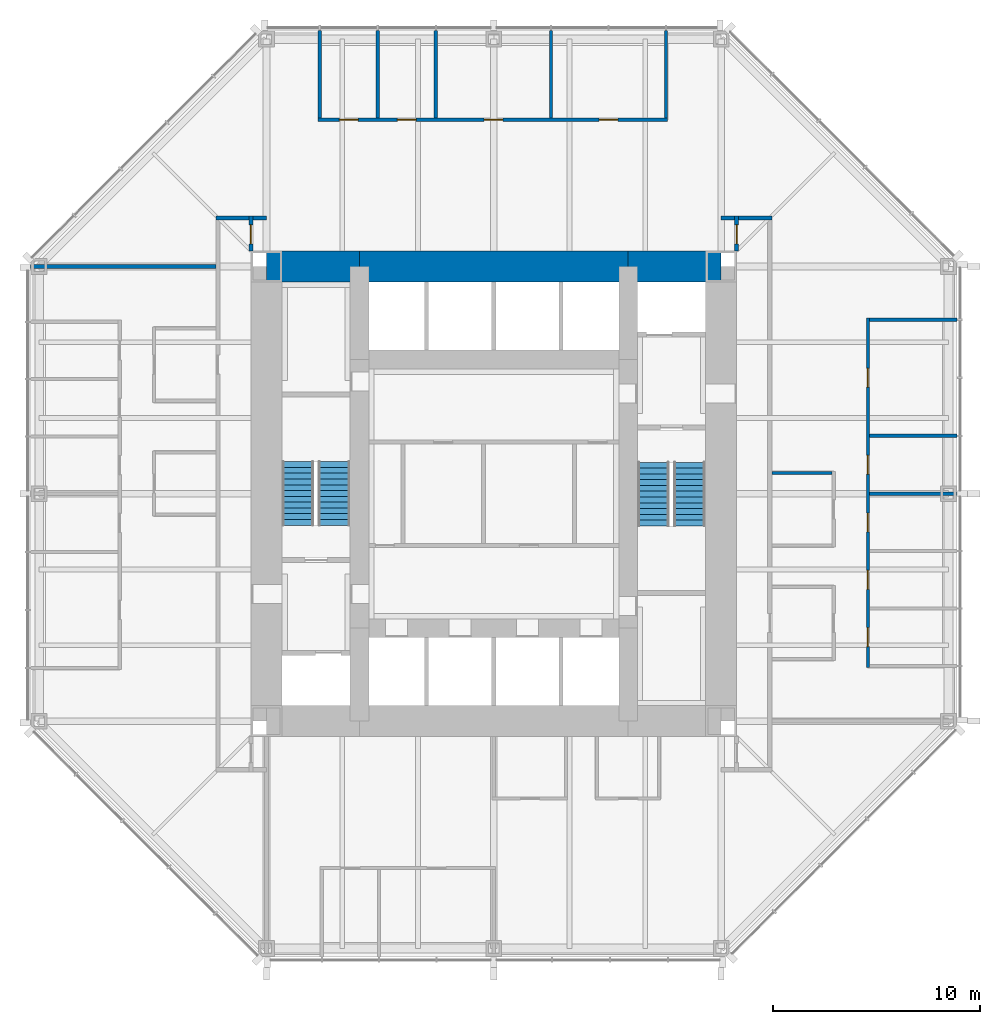
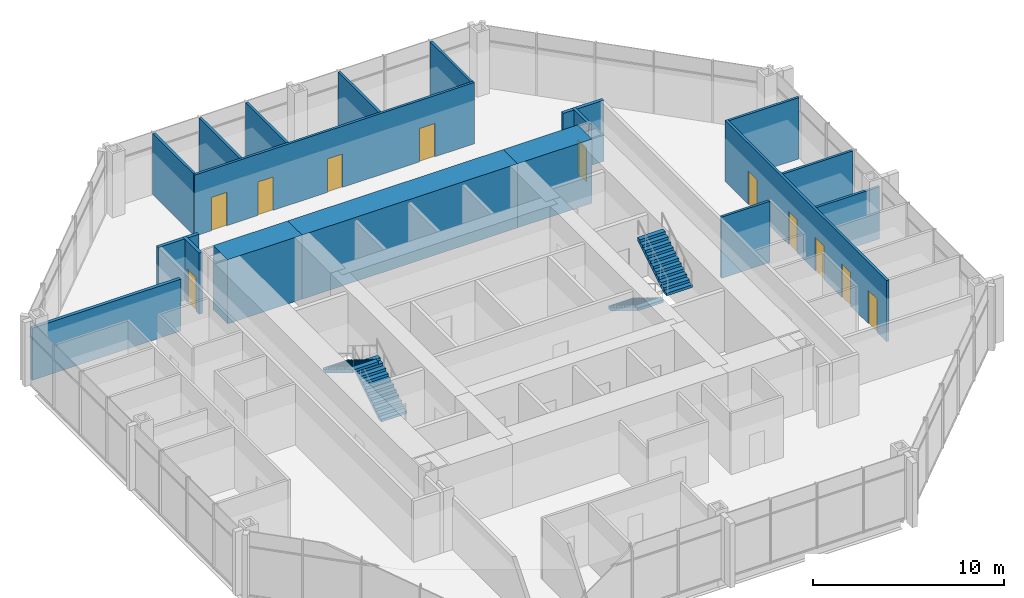
# One storey, part 11 of 12: 19 walls, 11 doors, 4 stair flights, 11 openings, 2 elements without a shape of their own.
"""IFC4 building model written with IfcOpenShell, lengths in metres."""

from ifc_helpers import new_model, si_unit, direction, frame, frame_2d, origin, place, context, subcontext, project, spatial, polyline, rectangle, outline, extrude, material, layer, layer_set, type_object, element, fill, aggregate, save


model = new_model("IFC4")

# Units and contexts
model_context = context("Model", 3, precision=1e-05, world=origin(), true_north=direction((0.0, 1.0)))
body_context = subcontext(model_context, "Body", "Model", "MODEL_VIEW")
ifc_project = project(units=[si_unit("LENGTHUNIT", "METRE"), si_unit("AREAUNIT", "SQUARE_METRE"), si_unit("VOLUMEUNIT", "CUBIC_METRE"), si_unit("PLANEANGLEUNIT", "RADIAN"), si_unit("MASSUNIT", "GRAM", prefix="KILO")], contexts=[model_context])

# Site, building, storey
site_placement = place(None, origin())
site = spatial("IfcSite", under=ifc_project, at=site_placement, CompositionType="ELEMENT")
building_placement = place(site_placement, origin())
building = spatial("IfcBuilding", under=site, at=building_placement, Name="Trevanion Tower", CompositionType="ELEMENT")
storey_placement = place(building_placement, frame((0.0, 0.0, 121.300048828125)))
storey = spatial("IfcBuildingStorey", under=building, at=storey_placement, Name="L28", CompositionType="ELEMENT", Elevation=121.300048828125)

# Walls
ifc_material_1 = material(Name="Concrete 10,000 psi", Category="concrete")
ifc_layer_1 = layer(ifc_material_1, 1.5)
ifc_layer_set_1 = layer_set([ifc_layer_1], Name="CW1 core wall 1500")
wall_type_1 = type_object("IfcWallType", Name="CW1 core wall 1500", PredefinedType="SHEAR", material=ifc_layer_set_1)
wall_1_placement = place(storey_placement, frame((11.0, 11.0, 0.0), z_axis=(0.0, 0.0, 1.0), x_axis=(-1.0, 0.0, 0.0)))
element("IfcWall", 1, at=wall_1_placement, inside=storey, type_object=wall_type_1, Name="CW1 CN1 L28", PredefinedType="SHEAR", context=body_context, shape_type="SweptSolid", body=[
    extrude(rectangle(XDim=4.5, YDim=1.5, at=frame_2d((2.25, 0.0))), origin(), (0.0, 0.0, 1.0), 4.099853515625),
])
wall_2_placement = place(storey_placement, frame((6.5, 11.0, 0.0), z_axis=(0.0, 0.0, 1.0), x_axis=(-1.0, 0.0, 0.0)))
element("IfcWall", 2, at=wall_2_placement, inside=storey, type_object=wall_type_1, Name="CW1 CN2 L28", PredefinedType="SHEAR", context=body_context, shape_type="SweptSolid", body=[
    extrude(rectangle(XDim=13.0, YDim=1.5, at=frame_2d((6.5, 0.0))), origin(), (0.0, 0.0, 1.0), 4.099853515625),
])
wall_3_placement = place(storey_placement, frame((-6.5, 11.0, 0.0), z_axis=(0.0, 0.0, 1.0), x_axis=(-1.0, 0.0, 0.0)))
element("IfcWall", 3, at=wall_3_placement, inside=storey, type_object=wall_type_1, Name="CW1 CN3 L28", PredefinedType="SHEAR", context=body_context, shape_type="SweptSolid", body=[
    extrude(rectangle(XDim=4.5, YDim=1.5, at=frame_2d((2.25, 0.0))), origin(), (0.0, 0.0, 1.0), 4.099853515625),
])

# Wall, openings, doors
ifc_material_2 = material(Name="Gypsum board on steel studs", Category="steel")
ifc_layer_2 = layer(ifc_material_2, 0.14990234375)
ifc_layer_set_2 = layer_set([ifc_layer_2], Name="PT1 partition 150")
wall_type_2 = type_object("IfcWallType", Name="PT1 partition 150", PredefinedType="PARTITIONING", material=ifc_layer_set_2)
wall_4_placement = place(storey_placement, frame((18.10009765625, -8.39794921875, 0.0), z_axis=(0.0, 0.0, 1.0), x_axis=(0.0, 1.0, 0.0)))
wall_4 = element("IfcWall", 4, at=wall_4_placement, inside=storey, type_object=wall_type_2, Name="PT1 L28 FC0F", PredefinedType="PARTITIONING", context=body_context, shape_type="SweptSolid", body=[
    extrude(rectangle(XDim=16.89404296875, YDim=0.14990234375, at=frame_2d((8.447021484375, 0.0))), origin(), (0.0, 0.0, 1.0), 3.909912109375),
])
opening_1_placement = place(wall_4_placement, frame((1.00439453125, 0.0, 0.0)))
opening_1 = element("IfcOpeningElement", 5, at=opening_1_placement, cuts=wall_4, Name="Opening 28-023", PredefinedType="OPENING", context=body_context, shape_type="SweptSolid", body=[
    extrude(rectangle(XDim=0.9150390625, YDim=2.134033203125, at=frame_2d((0.45751953125, 1.06689453125))), frame((0.0, 0.0849609375, 0.0), z_axis=(0.0, -1.0, 0.0), x_axis=(1.0, 0.0, 0.0)), (0.0, 0.0, 1.0), 0.169921875),
])
opening_2_placement = place(wall_4_placement, frame((3.778564453125, 0.0, 0.0)))
opening_2 = element("IfcOpeningElement", 6, at=opening_2_placement, cuts=wall_4, Name="Opening 28-024", PredefinedType="OPENING", context=body_context, shape_type="SweptSolid", body=[
    extrude(rectangle(XDim=0.9150390625, YDim=2.134033203125, at=frame_2d((0.45751953125, 1.06689453125))), frame((0.0, 0.0849609375, 0.0), z_axis=(0.0, -1.0, 0.0), x_axis=(1.0, 0.0, 0.0)), (0.0, 0.0, 1.0), 0.169921875),
])
opening_3_placement = place(wall_4_placement, frame((6.552978515625, 0.0, 0.0)))
opening_3 = element("IfcOpeningElement", 7, at=opening_3_placement, cuts=wall_4, Name="Opening 28-025", PredefinedType="OPENING", context=body_context, shape_type="SweptSolid", body=[
    extrude(rectangle(XDim=0.9150390625, YDim=2.134033203125, at=frame_2d((0.45751953125, 1.06689453125))), frame((0.0, 0.0849609375, 0.0), z_axis=(0.0, -1.0, 0.0), x_axis=(1.0, 0.0, 0.0)), (0.0, 0.0, 1.0), 0.169921875),
])
opening_4_placement = place(wall_4_placement, frame((9.343994140625, 0.0, 0.0)))
opening_4 = element("IfcOpeningElement", 8, at=opening_4_placement, cuts=wall_4, Name="Opening 28-026", PredefinedType="OPENING", context=body_context, shape_type="SweptSolid", body=[
    extrude(rectangle(XDim=0.9150390625, YDim=2.134033203125, at=frame_2d((0.45751953125, 1.06689453125))), frame((0.0, 0.0849609375, 0.0), z_axis=(0.0, -1.0, 0.0), x_axis=(1.0, 0.0, 0.0)), (0.0, 0.0, 1.0), 0.169921875),
])
opening_5_placement = place(wall_4_placement, frame((13.554443359375, 0.0, 0.0)))
opening_5 = element("IfcOpeningElement", 9, at=opening_5_placement, cuts=wall_4, Name="Opening 28-027", PredefinedType="OPENING", context=body_context, shape_type="SweptSolid", body=[
    extrude(rectangle(XDim=0.9150390625, YDim=2.134033203125, at=frame_2d((0.45751953125, 1.06689453125))), frame((0.0, 0.0849609375, 0.0), z_axis=(0.0, -1.0, 0.0), x_axis=(1.0, 0.0, 0.0)), (0.0, 0.0, 1.0), 0.169921875),
])
ifc_material_3 = material(Name="Timber veneer, solid core", Category="wood")
door_type_1 = type_object("IfcDoorType", Name="D1 office and meeting room door", OperationType="SINGLE_SWING_LEFT", PredefinedType="DOOR", material=ifc_material_3)
door_1_placement = place(opening_1_placement, origin())
door_1 = element("IfcDoor", 10, at=door_1_placement, inside=storey, type_object=door_type_1, Name="Door 28-023", OperationType="SINGLE_SWING_LEFT", OverallHeight=2.134033203125, OverallWidth=0.9150390625, PredefinedType="DOOR", context=body_context, shape_type="SweptSolid", body=[
    extrude(rectangle(XDim=0.9150390625, YDim=2.134033203125, at=frame_2d((0.45751953125, 1.06689453125))), frame((0.0, 0.02490234375, 0.0), z_axis=(0.0, -1.0, 0.0), x_axis=(1.0, 0.0, 0.0)), (0.0, 0.0, 1.0), 0.050048828125),
])
fill(opening_1, door_1)
door_2_placement = place(opening_2_placement, origin())
door_2 = element("IfcDoor", 11, at=door_2_placement, inside=storey, type_object=door_type_1, Name="Door 28-024", OperationType="SINGLE_SWING_LEFT", OverallHeight=2.134033203125, OverallWidth=0.9150390625, PredefinedType="DOOR", context=body_context, shape_type="SweptSolid", body=[
    extrude(rectangle(XDim=0.9150390625, YDim=2.134033203125, at=frame_2d((0.45751953125, 1.06689453125))), frame((0.0, 0.02490234375, 0.0), z_axis=(0.0, -1.0, 0.0), x_axis=(1.0, 0.0, 0.0)), (0.0, 0.0, 1.0), 0.050048828125),
])
fill(opening_2, door_2)
door_3_placement = place(opening_3_placement, origin())
door_3 = element("IfcDoor", 12, at=door_3_placement, inside=storey, type_object=door_type_1, Name="Door 28-025", OperationType="SINGLE_SWING_LEFT", OverallHeight=2.134033203125, OverallWidth=0.9150390625, PredefinedType="DOOR", context=body_context, shape_type="SweptSolid", body=[
    extrude(rectangle(XDim=0.9150390625, YDim=2.134033203125, at=frame_2d((0.45751953125, 1.06689453125))), frame((0.0, 0.02490234375, 0.0), z_axis=(0.0, -1.0, 0.0), x_axis=(1.0, 0.0, 0.0)), (0.0, 0.0, 1.0), 0.050048828125),
])
fill(opening_3, door_3)
door_4_placement = place(opening_4_placement, origin())
door_4 = element("IfcDoor", 13, at=door_4_placement, inside=storey, type_object=door_type_1, Name="Door 28-026", OperationType="SINGLE_SWING_LEFT", OverallHeight=2.134033203125, OverallWidth=0.9150390625, PredefinedType="DOOR", context=body_context, shape_type="SweptSolid", body=[
    extrude(rectangle(XDim=0.9150390625, YDim=2.134033203125, at=frame_2d((0.45751953125, 1.06689453125))), frame((0.0, 0.02490234375, 0.0), z_axis=(0.0, -1.0, 0.0), x_axis=(1.0, 0.0, 0.0)), (0.0, 0.0, 1.0), 0.050048828125),
])
fill(opening_4, door_4)
door_5_placement = place(opening_5_placement, origin())
door_5 = element("IfcDoor", 14, at=door_5_placement, inside=storey, type_object=door_type_1, Name="Door 28-027", OperationType="SINGLE_SWING_LEFT", OverallHeight=2.134033203125, OverallWidth=0.9150390625, PredefinedType="DOOR", context=body_context, shape_type="SweptSolid", body=[
    extrude(rectangle(XDim=0.9150390625, YDim=2.134033203125, at=frame_2d((0.45751953125, 1.06689453125))), frame((0.0, 0.02490234375, 0.0), z_axis=(0.0, -1.0, 0.0), x_axis=(1.0, 0.0, 0.0)), (0.0, 0.0, 1.0), 0.050048828125),
])
fill(opening_5, door_5)

# Walls
wall_5_placement = place(storey_placement, frame((18.175048828125, 0.0, 0.0), z_axis=(0.0, 0.0, 1.0), x_axis=(1.0, 0.0, 0.0)))
element("IfcWall", 15, at=wall_5_placement, inside=storey, type_object=wall_type_2, Name="PT1 L28 FC0S3", PredefinedType="PARTITIONING", context=body_context, shape_type="SweptSolid", body=[
    extrude(rectangle(XDim=4.239990234375, YDim=0.14990234375, at=frame_2d((2.1201171875, 0.0))), origin(), (0.0, 0.0, 1.0), 3.32568359375),
])
for number, where, z_axis, x_axis, name in (
    (16, (18.175048828125, 2.806884765625, 0.0), (0.0, 0.0, 1.0), (1.0, 0.0, 0.0), "PT1 L28 FC0S4"),
    (17, (18.175048828125, 8.4208984375, 0.0), (0.0, 0.0, 1.0), (1.0, 0.0, 0.0), "PT1 L28 FC0S6"),
):
    element("IfcWall", number, at=place(storey_placement, frame(where, z_axis=z_axis, x_axis=x_axis)), inside=storey, type_object=wall_type_2, Name=name, PredefinedType="PARTITIONING", context=body_context, shape_type="SweptSolid", body=[
        extrude(rectangle(XDim=4.239990234375, YDim=0.14990234375, at=frame_2d((2.1201171875, 0.0))), origin(), (0.0, 0.0, 1.0), 3.909912109375),
    ])

# Wall, openings, doors
wall_6_placement = place(storey_placement, frame((8.39794921875, 18.10009765625, 0.0), z_axis=(0.0, 0.0, 1.0), x_axis=(-1.0, 0.0, 0.0)))
wall_6 = element("IfcWall", 18, at=wall_6_placement, inside=storey, type_object=wall_type_2, Name="PT1 L28 FC1F", PredefinedType="PARTITIONING", context=body_context, shape_type="SweptSolid", body=[
    extrude(rectangle(XDim=16.89404296875, YDim=0.14990234375, at=frame_2d((8.447021484375, 0.0))), origin(), (0.0, 0.0, 1.0), 3.909912109375),
])
opening_6_placement = place(wall_6_placement, frame((2.3916015625, 0.0, 0.0)))
opening_6 = element("IfcOpeningElement", 19, at=opening_6_placement, cuts=wall_6, Name="Opening 28-028", PredefinedType="OPENING", context=body_context, shape_type="SweptSolid", body=[
    extrude(rectangle(XDim=0.9150390625, YDim=2.134033203125, at=frame_2d((0.45751953125, 1.06689453125))), frame((0.0, 0.0849609375, 0.0), z_axis=(0.0, -1.0, 0.0), x_axis=(1.0, 0.0, 0.0)), (0.0, 0.0, 1.0), 0.169921875),
])
opening_7_placement = place(wall_6_placement, frame((7.95654296875, 0.0, 0.0)))
opening_7 = element("IfcOpeningElement", 20, at=opening_7_placement, cuts=wall_6, Name="Opening 28-029", PredefinedType="OPENING", context=body_context, shape_type="SweptSolid", body=[
    extrude(rectangle(XDim=0.9150390625, YDim=2.134033203125, at=frame_2d((0.45751953125, 1.06689453125))), frame((0.0, 0.0849609375, 0.0), z_axis=(0.0, -1.0, 0.0), x_axis=(1.0, 0.0, 0.0)), (0.0, 0.0, 1.0), 0.169921875),
])
opening_8_placement = place(wall_6_placement, frame((12.15087890625, 0.0, 0.0)))
opening_8 = element("IfcOpeningElement", 21, at=opening_8_placement, cuts=wall_6, Name="Opening 28-030", PredefinedType="OPENING", context=body_context, shape_type="SweptSolid", body=[
    extrude(rectangle(XDim=0.9150390625, YDim=2.134033203125, at=frame_2d((0.45751953125, 1.06689453125))), frame((0.0, 0.0849609375, 0.0), z_axis=(0.0, -1.0, 0.0), x_axis=(1.0, 0.0, 0.0)), (0.0, 0.0, 1.0), 0.169921875),
])
opening_9_placement = place(wall_6_placement, frame((14.9580078125, 0.0, 0.0)))
opening_9 = element("IfcOpeningElement", 22, at=opening_9_placement, cuts=wall_6, Name="Opening 28-031", PredefinedType="OPENING", context=body_context, shape_type="SweptSolid", body=[
    extrude(rectangle(XDim=0.9150390625, YDim=2.134033203125, at=frame_2d((0.45751953125, 1.06689453125))), frame((0.0, 0.0849609375, 0.0), z_axis=(0.0, -1.0, 0.0), x_axis=(1.0, 0.0, 0.0)), (0.0, 0.0, 1.0), 0.169921875),
])
door_6_placement = place(opening_6_placement, origin())
door_6 = element("IfcDoor", 23, at=door_6_placement, inside=storey, type_object=door_type_1, Name="Door 28-028", OperationType="SINGLE_SWING_LEFT", OverallHeight=2.134033203125, OverallWidth=0.9150390625, PredefinedType="DOOR", context=body_context, shape_type="SweptSolid", body=[
    extrude(rectangle(XDim=0.9150390625, YDim=2.134033203125, at=frame_2d((0.45751953125, 1.06689453125))), frame((0.0, 0.02490234375, 0.0), z_axis=(0.0, -1.0, 0.0), x_axis=(1.0, 0.0, 0.0)), (0.0, 0.0, 1.0), 0.050048828125),
])
fill(opening_6, door_6)
door_7_placement = place(opening_7_placement, origin())
door_7 = element("IfcDoor", 24, at=door_7_placement, inside=storey, type_object=door_type_1, Name="Door 28-029", OperationType="SINGLE_SWING_LEFT", OverallHeight=2.134033203125, OverallWidth=0.9150390625, PredefinedType="DOOR", context=body_context, shape_type="SweptSolid", body=[
    extrude(rectangle(XDim=0.9150390625, YDim=2.134033203125, at=frame_2d((0.45751953125, 1.06689453125))), frame((0.0, 0.02490234375, 0.0), z_axis=(0.0, -1.0, 0.0), x_axis=(1.0, 0.0, 0.0)), (0.0, 0.0, 1.0), 0.050048828125),
])
fill(opening_7, door_7)
door_8_placement = place(opening_8_placement, origin())
door_8 = element("IfcDoor", 25, at=door_8_placement, inside=storey, type_object=door_type_1, Name="Door 28-030", OperationType="SINGLE_SWING_LEFT", OverallHeight=2.134033203125, OverallWidth=0.9150390625, PredefinedType="DOOR", context=body_context, shape_type="SweptSolid", body=[
    extrude(rectangle(XDim=0.9150390625, YDim=2.134033203125, at=frame_2d((0.45751953125, 1.06689453125))), frame((0.0, 0.02490234375, 0.0), z_axis=(0.0, -1.0, 0.0), x_axis=(1.0, 0.0, 0.0)), (0.0, 0.0, 1.0), 0.050048828125),
])
fill(opening_8, door_8)
door_9_placement = place(opening_9_placement, origin())
door_9 = element("IfcDoor", 26, at=door_9_placement, inside=storey, type_object=door_type_1, Name="Door 28-031", OperationType="SINGLE_SWING_LEFT", OverallHeight=2.134033203125, OverallWidth=0.9150390625, PredefinedType="DOOR", context=body_context, shape_type="SweptSolid", body=[
    extrude(rectangle(XDim=0.9150390625, YDim=2.134033203125, at=frame_2d((0.45751953125, 1.06689453125))), frame((0.0, 0.02490234375, 0.0), z_axis=(0.0, -1.0, 0.0), x_axis=(1.0, 0.0, 0.0)), (0.0, 0.0, 1.0), 0.050048828125),
])
fill(opening_9, door_9)

# Walls
for number, where, z_axis, x_axis, name in (
    (27, (8.322998046875, 18.175048828125, 0.0), (0.0, 0.0, 1.0), (0.0, 1.0, 0.0), "PT1 L28 FC1S0"),
    (28, (2.77490234375, 18.175048828125, 0.0), (0.0, 0.0, 1.0), (0.0, 1.0, 0.0), "PT1 L28 FC1S2"),
    (29, (-2.806884765625, 18.175048828125, 0.0), (0.0, 0.0, 1.0), (0.0, 1.0, 0.0), "PT1 L28 FC1S4"),
    (30, (-5.614013671875, 18.175048828125, 0.0), (0.0, 0.0, 1.0), (0.0, 1.0, 0.0), "PT1 L28 FC1S5"),
    (31, (-8.4208984375, 18.175048828125, 0.0), (0.0, 0.0, 1.0), (0.0, 1.0, 0.0), "PT1 L28 FC1S6"),
):
    element("IfcWall", number, at=place(storey_placement, frame(where, z_axis=z_axis, x_axis=x_axis)), inside=storey, type_object=wall_type_2, Name=name, PredefinedType="PARTITIONING", context=body_context, shape_type="SweptSolid", body=[
        extrude(rectangle(XDim=4.239990234375, YDim=0.14990234375, at=frame_2d((2.1201171875, 0.0))), origin(), (0.0, 0.0, 1.0), 3.909912109375),
    ])
wall_7_placement = place(storey_placement, frame((16.375, 1.0, 0.0), z_axis=(0.0, 0.0, 1.0), x_axis=(-1.0, 0.0, 0.0)))
element("IfcWall", 32, at=wall_7_placement, inside=storey, type_object=wall_type_2, Name="PT1 L28 IN01S1", PredefinedType="PARTITIONING", context=body_context, shape_type="SweptSolid", body=[
    extrude(rectangle(XDim=2.925048828125, YDim=0.14990234375, at=frame_2d((1.46240234375, 0.0))), origin(), (0.0, 0.0, 1.0), 3.909912109375),
])

# Wall, opening, door
ifc_material_4 = material(Name="Concrete masonry, grouted", Category="masonry")
ifc_layer_3 = layer(ifc_material_4, 0.199951171875)
ifc_layer_set_3 = layer_set([ifc_layer_3], Name="PT2 partition 200 1 HR")
wall_type_3 = type_object("IfcWallType", Name="PT2 partition 200 1 HR", PredefinedType="PARTITIONING", material=ifc_layer_set_3)
wall_8_placement = place(storey_placement, frame((11.75, 11.75, 0.0), z_axis=(0.0, 0.0, 1.0), x_axis=(0.0, 1.0, 0.0)))
wall_8 = element("IfcWall", 33, at=wall_8_placement, inside=storey, type_object=wall_type_3, Name="PT2 L28 OUNE1", PredefinedType="PARTITIONING", context=body_context, shape_type="SweptSolid", body=[
    extrude(rectangle(XDim=1.699951171875, YDim=0.199951171875, at=frame_2d((0.85009765625, 0.0))), origin(), (0.0, 0.0, 1.0), 3.909912109375),
])
opening_10_placement = place(wall_8_placement, frame((0.342529296875, 0.0, 0.0)))
opening_10 = element("IfcOpeningElement", 34, at=opening_10_placement, cuts=wall_8, Name="Opening 28-019", PredefinedType="OPENING", context=body_context, shape_type="SweptSolid", body=[
    extrude(rectangle(XDim=0.9150390625, YDim=2.134033203125, at=frame_2d((0.45751953125, 1.06689453125))), frame((0.0, 0.10986328125, 0.0), z_axis=(0.0, -1.0, 0.0), x_axis=(1.0, 0.0, 0.0)), (0.0, 0.0, 1.0), 0.219970703125),
])
ifc_material_5 = material(Name="Timber veneer, fire rated", Category="wood")
door_type_2 = type_object("IfcDoorType", Name="D10 office door in a one hour wall", OperationType="SINGLE_SWING_LEFT", PredefinedType="DOOR", material=ifc_material_5)
door_10_placement = place(opening_10_placement, origin())
door_10 = element("IfcDoor", 35, at=door_10_placement, inside=storey, type_object=door_type_2, Name="Door 28-019", OperationType="SINGLE_SWING_LEFT", OverallHeight=2.134033203125, OverallWidth=0.9150390625, PredefinedType="DOOR", context=body_context, shape_type="SweptSolid", body=[
    extrude(rectangle(XDim=0.9150390625, YDim=2.134033203125, at=frame_2d((0.45751953125, 1.06689453125))), frame((0.0, 0.02490234375, 0.0), z_axis=(0.0, -1.0, 0.0), x_axis=(1.0, 0.0, 0.0)), (0.0, 0.0, 1.0), 0.050048828125),
])
fill(opening_10, door_10)

# Wall
wall_9_placement = place(storey_placement, frame((11.0, 13.35009765625, 0.0), z_axis=(0.0, 0.0, 1.0), x_axis=(1.0, 0.0, 0.0)))
element("IfcWall", 36, at=wall_9_placement, inside=storey, type_object=wall_type_3, Name="PT2 L28 OUNE2", PredefinedType="PARTITIONING", context=body_context, shape_type="SweptSolid", body=[
    extrude(rectangle(XDim=2.449951171875, YDim=0.199951171875, at=frame_2d((1.22509765625, 0.0))), origin(), (0.0, 0.0, 1.0), 3.909912109375),
])

# Wall, opening, door
wall_10_placement = place(storey_placement, frame((-11.75, 11.75, 0.0), z_axis=(0.0, 0.0, 1.0), x_axis=(0.0, 1.0, 0.0)))
wall_10 = element("IfcWall", 37, at=wall_10_placement, inside=storey, type_object=wall_type_3, Name="PT2 L28 OUNW1", PredefinedType="PARTITIONING", context=body_context, shape_type="SweptSolid", body=[
    extrude(rectangle(XDim=1.699951171875, YDim=0.199951171875, at=frame_2d((0.85009765625, 0.0))), origin(), (0.0, 0.0, 1.0), 3.909912109375),
])
opening_11_placement = place(wall_10_placement, frame((0.342529296875, 0.0, 0.0)))
opening_11 = element("IfcOpeningElement", 38, at=opening_11_placement, cuts=wall_10, Name="Opening 28-020", PredefinedType="OPENING", context=body_context, shape_type="SweptSolid", body=[
    extrude(rectangle(XDim=0.9150390625, YDim=2.134033203125, at=frame_2d((0.45751953125, 1.06689453125))), frame((0.0, 0.10986328125, 0.0), z_axis=(0.0, -1.0, 0.0), x_axis=(1.0, 0.0, 0.0)), (0.0, 0.0, 1.0), 0.219970703125),
])
door_11_placement = place(opening_11_placement, origin())
door_11 = element("IfcDoor", 39, at=door_11_placement, inside=storey, type_object=door_type_2, Name="Door 28-020", OperationType="SINGLE_SWING_LEFT", OverallHeight=2.134033203125, OverallWidth=0.9150390625, PredefinedType="DOOR", context=body_context, shape_type="SweptSolid", body=[
    extrude(rectangle(XDim=0.9150390625, YDim=2.134033203125, at=frame_2d((0.45751953125, 1.06689453125))), frame((0.0, 0.02490234375, 0.0), z_axis=(0.0, -1.0, 0.0), x_axis=(1.0, 0.0, 0.0)), (0.0, 0.0, 1.0), 0.050048828125),
])
fill(opening_11, door_11)

# Walls
wall_11_placement = place(storey_placement, frame((-11.0, 13.35009765625, 0.0), z_axis=(0.0, 0.0, 1.0), x_axis=(-1.0, 0.0, 0.0)))
element("IfcWall", 40, at=wall_11_placement, inside=storey, type_object=wall_type_3, Name="PT2 L28 OUNW2", PredefinedType="PARTITIONING", context=body_context, shape_type="SweptSolid", body=[
    extrude(rectangle(XDim=2.449951171875, YDim=0.199951171875, at=frame_2d((1.22509765625, 0.0))), origin(), (0.0, 0.0, 1.0), 3.909912109375),
])
wall_12_placement = place(storey_placement, frame((-13.449951171875, 11.0, 0.0), z_axis=(0.0, 0.0, 1.0), x_axis=(-1.0, 0.0, 0.0)))
element("IfcWall", 41, at=wall_12_placement, inside=storey, type_object=wall_type_3, Name="PT2 L28 DM1", PredefinedType="PARTITIONING", context=body_context, shape_type="SweptSolid", body=[
    extrude(rectangle(XDim=8.965087890625, YDim=0.199951171875, at=frame_2d((4.482421875, 0.0))), origin(), (0.0, 0.0, 1.0), 3.32568359375),
])

# Stair, stair flights
ifc_material_6 = material(Name="Concrete 5,000 psi on steel stringers", Category="concrete")
stair_type = type_object("IfcStairType", Name="ST stair", PredefinedType="HALF_TURN_STAIR", material=ifc_material_6)
stair_1_placement = place(storey_placement, origin())
stair_1 = element("IfcStair", 42, at=stair_1_placement, inside=storey, type_object=stair_type, Name="ST1 L28", PredefinedType="HALF_TURN_STAIR")
ifc_material_7 = material(Name="Concrete 5,000 psi in steel pan", Category="concrete")
stair_flight_type = type_object("IfcStairFlightType", Name="STF stair flight", PredefinedType="STRAIGHT", material=ifc_material_7)
stair_flight_1_placement = place(storey_placement, frame((7.72509765625, 1.52490234375, 0.0), z_axis=(0.0, 0.0, 1.0), x_axis=(0.0, -1.0, 0.0)))
stair_flight_1 = element("IfcStairFlight", 43, at=stair_flight_1_placement, type_object=stair_flight_type, Name="ST1 flight 1", NumberOfRisers=12, NumberOfTreads=11, PredefinedType="STRAIGHT", RiserHeight=0.170833333, TreadLength=0.28, context=body_context, shape_type="SweptSolid", body=[
    extrude(outline(polyline([(0.0, 0.0), (0.0, 0.1708984375), (0.280029296875, 0.1708984375), (0.280029296875, 0.341552734375), (0.56005859375, 0.341552734375), (0.56005859375, 0.512451171875), (0.840087890625, 0.512451171875), (0.840087890625, 0.683349609375), (1.1201171875, 0.683349609375), (1.1201171875, 0.854248046875), (1.39990234375, 0.854248046875), (1.39990234375, 1.02490234375), (1.679931640625, 1.02490234375), (1.679931640625, 1.19580078125), (1.9599609375, 1.19580078125), (1.9599609375, 1.36669921875), (2.239990234375, 1.36669921875), (2.239990234375, 1.53759765625), (2.52001953125, 1.53759765625), (2.52001953125, 1.708251953125), (2.800048828125, 1.708251953125), (2.800048828125, 1.879150390625), (3.080078125, 1.879150390625), (3.080078125, 2.050048828125), (3.080078125, 1.70361328125), (0.287841796875, 0.0), (0.0, 0.0)])), frame((0.0, 0.77490234375, 0.0), z_axis=(0.0, -1.0, 0.0), x_axis=(1.0, 0.0, 0.0)), (0.0, 0.0, 1.0), 1.550048828125),
])
stair_flight_2_placement = place(storey_placement, frame((9.47509765625, -1.554931640625, 2.050048828125), z_axis=(0.0, 0.0, 1.0), x_axis=(0.0, 1.0, 0.0)))
stair_flight_2 = element("IfcStairFlight", 44, at=stair_flight_2_placement, type_object=stair_flight_type, Name="ST1 flight 2", NumberOfRisers=12, NumberOfTreads=11, PredefinedType="STRAIGHT", RiserHeight=0.170833333, TreadLength=0.28, context=body_context, shape_type="SweptSolid", body=[
    extrude(outline(polyline([(0.0, 0.0), (0.0, 0.1708984375), (0.280029296875, 0.1708984375), (0.280029296875, 0.341552734375), (0.56005859375, 0.341552734375), (0.56005859375, 0.512451171875), (0.840087890625, 0.512451171875), (0.840087890625, 0.683349609375), (1.1201171875, 0.683349609375), (1.1201171875, 0.854248046875), (1.39990234375, 0.854248046875), (1.39990234375, 1.02490234375), (1.679931640625, 1.02490234375), (1.679931640625, 1.19580078125), (1.9599609375, 1.19580078125), (1.9599609375, 1.36669921875), (2.239990234375, 1.36669921875), (2.239990234375, 1.53759765625), (2.52001953125, 1.53759765625), (2.52001953125, 1.708251953125), (2.800048828125, 1.708251953125), (2.800048828125, 1.879150390625), (3.080078125, 1.879150390625), (3.080078125, 2.050048828125), (3.080078125, 1.70361328125), (0.287841796875, 0.0), (0.0, 0.0)])), frame((0.0, 0.77490234375, 0.0), z_axis=(0.0, -1.0, 0.0), x_axis=(1.0, 0.0, 0.0)), (0.0, 0.0, 1.0), 1.550048828125),
])
aggregate(stair_1, [stair_flight_1, stair_flight_2])

stair_2_placement = place(storey_placement, origin())
stair_2 = element("IfcStair", 45, at=stair_2_placement, inside=storey, type_object=stair_type, Name="ST2 L28", PredefinedType="HALF_TURN_STAIR")
stair_flight_3_placement = place(storey_placement, frame((-7.72509765625, -1.52490234375, 0.0), z_axis=(0.0, 0.0, 1.0), x_axis=(0.0, 1.0, 0.0)))
stair_flight_3 = element("IfcStairFlight", 46, at=stair_flight_3_placement, type_object=stair_flight_type, Name="ST2 flight 1", NumberOfRisers=12, NumberOfTreads=11, PredefinedType="STRAIGHT", RiserHeight=0.170833333, TreadLength=0.28, context=body_context, shape_type="SweptSolid", body=[
    extrude(outline(polyline([(0.0, 0.0), (0.0, 0.1708984375), (0.280029296875, 0.1708984375), (0.280029296875, 0.341552734375), (0.56005859375, 0.341552734375), (0.56005859375, 0.512451171875), (0.840087890625, 0.512451171875), (0.840087890625, 0.683349609375), (1.1201171875, 0.683349609375), (1.1201171875, 0.854248046875), (1.39990234375, 0.854248046875), (1.39990234375, 1.02490234375), (1.679931640625, 1.02490234375), (1.679931640625, 1.19580078125), (1.9599609375, 1.19580078125), (1.9599609375, 1.36669921875), (2.239990234375, 1.36669921875), (2.239990234375, 1.53759765625), (2.52001953125, 1.53759765625), (2.52001953125, 1.708251953125), (2.800048828125, 1.708251953125), (2.800048828125, 1.879150390625), (3.080078125, 1.879150390625), (3.080078125, 2.050048828125), (3.080078125, 1.70361328125), (0.287841796875, 0.0), (0.0, 0.0)])), frame((0.0, 0.77490234375, 0.0), z_axis=(0.0, -1.0, 0.0), x_axis=(1.0, 0.0, 0.0)), (0.0, 0.0, 1.0), 1.550048828125),
])
stair_flight_4_placement = place(storey_placement, frame((-9.47509765625, 1.554931640625, 2.050048828125), z_axis=(0.0, 0.0, 1.0), x_axis=(0.0, -1.0, 0.0)))
stair_flight_4 = element("IfcStairFlight", 47, at=stair_flight_4_placement, type_object=stair_flight_type, Name="ST2 flight 2", NumberOfRisers=12, NumberOfTreads=11, PredefinedType="STRAIGHT", RiserHeight=0.170833333, TreadLength=0.28, context=body_context, shape_type="SweptSolid", body=[
    extrude(outline(polyline([(0.0, 0.0), (0.0, 0.1708984375), (0.280029296875, 0.1708984375), (0.280029296875, 0.341552734375), (0.56005859375, 0.341552734375), (0.56005859375, 0.512451171875), (0.840087890625, 0.512451171875), (0.840087890625, 0.683349609375), (1.1201171875, 0.683349609375), (1.1201171875, 0.854248046875), (1.39990234375, 0.854248046875), (1.39990234375, 1.02490234375), (1.679931640625, 1.02490234375), (1.679931640625, 1.19580078125), (1.9599609375, 1.19580078125), (1.9599609375, 1.36669921875), (2.239990234375, 1.36669921875), (2.239990234375, 1.53759765625), (2.52001953125, 1.53759765625), (2.52001953125, 1.708251953125), (2.800048828125, 1.708251953125), (2.800048828125, 1.879150390625), (3.080078125, 1.879150390625), (3.080078125, 2.050048828125), (3.080078125, 1.70361328125), (0.287841796875, 0.0), (0.0, 0.0)])), frame((0.0, 0.77490234375, 0.0), z_axis=(0.0, -1.0, 0.0), x_axis=(1.0, 0.0, 0.0)), (0.0, 0.0, 1.0), 1.550048828125),
])
aggregate(stair_2, [stair_flight_3, stair_flight_4])

save(model, "model.ifc")
